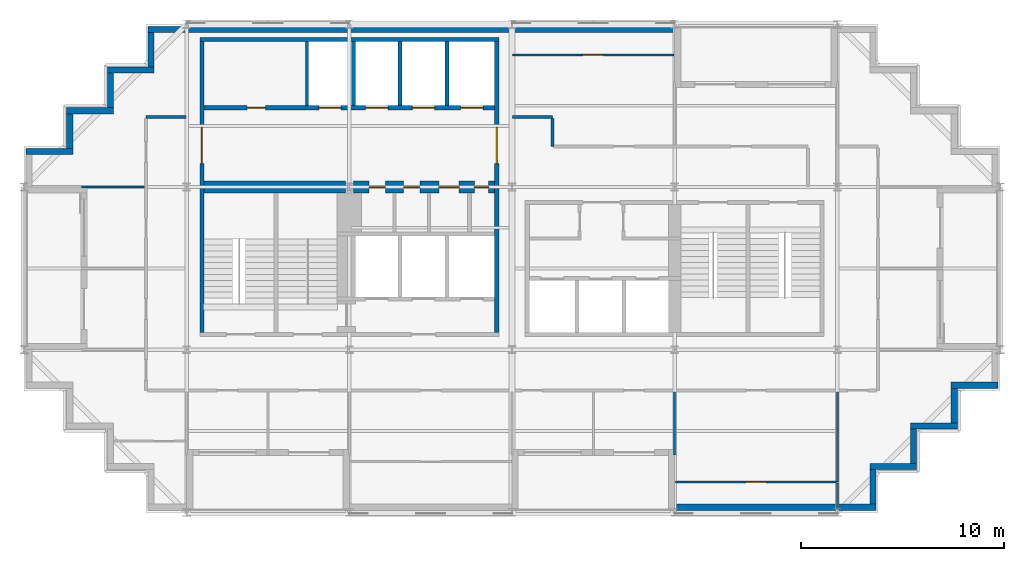
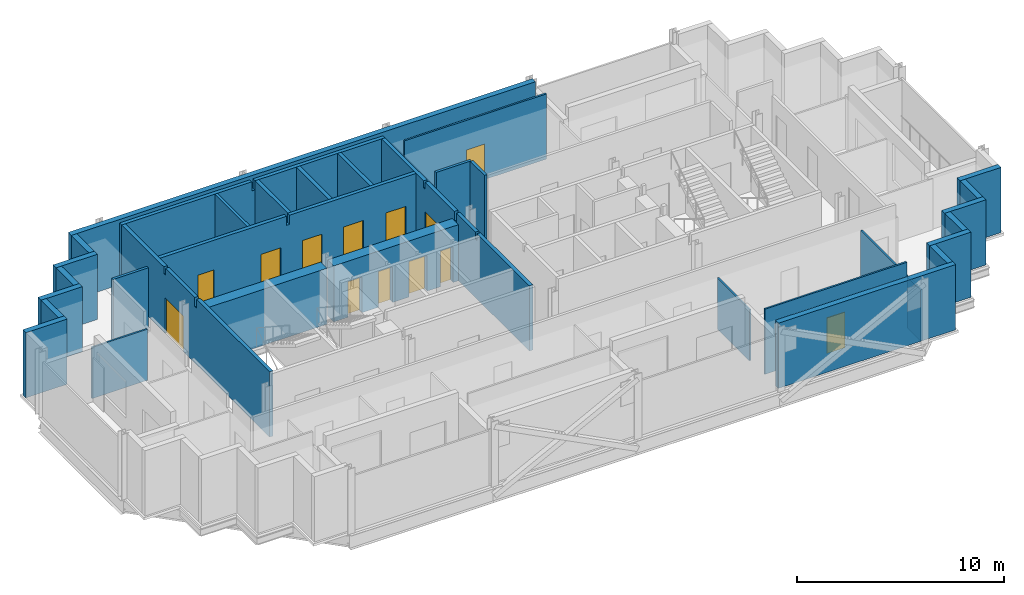
# One storey, part 6 of 9: 33 walls, 13 doors, 13 openings.
"""IFC4 building model written with IfcOpenShell, lengths in metres."""

import ifcopenshell
import ifcopenshell.guid

model = None  # the IFC model being written
_history = None  # IfcOwnerHistory: only IFC2X3 demands one
_inside = {}  # id of a spatial element -> (the spatial element, [elements in it])
_under = {}  # id of a project, library or spatial element -> (it, [spatial elements below it])
_declared = {}  # id of a project -> (the project, [libraries it declares])
_typed = {}  # id of a type object -> (the type object, [elements of that type])
_made_of = {}  # id of a material, layer set ... -> (it, [elements and type objects made of it])


def new_model(schema):
    """Start an empty IFC model of exactly this schema.

    Asked for "IFC4X3", IfcOpenShell would pick the latest addendum, in which some entities
    have other attributes; the version numbers below select the first issue.
    IFC2X3 requires an IfcOwnerHistory on every rooted entity: one is made here for all.
    """
    global model, _history
    if schema == "IFC4X3":
        model = ifcopenshell.file(schema_version=(4, 3, 0, 0))
    else:
        model = ifcopenshell.file(schema=schema)
    _inside.clear()
    _under.clear()
    _declared.clear()
    _typed.clear()
    _made_of.clear()
    _history = None
    if model.schema == "IFC2X3":
        org = make("IfcOrganization", Name="unknown")
        user = make(
            "IfcPersonAndOrganization",
            ThePerson=make("IfcPerson", FamilyName="unknown"),
            TheOrganization=org,
        )
        app = make(
            "IfcApplication",
            ApplicationDeveloper=org,
            Version="unknown",
            ApplicationFullName="unknown",
            ApplicationIdentifier="unknown",
        )
        _history = make(
            "IfcOwnerHistory",
            OwningUser=user,
            OwningApplication=app,
            ChangeAction="ADDED",
            CreationDate=0,
        )
    return model


def make(cls, **values):
    """One entity of the class cls with the attributes given. An attribute that is None is left unset."""
    return model.create_entity(
        cls, **{name: value for name, value in values.items() if value is not None}
    )


def rooted(cls, **values):
    """An entity with a GlobalId (a new one), such as an element, a storey or a relation."""
    return make(cls, GlobalId=ifcopenshell.guid.new(), OwnerHistory=_history, **values)


def si_unit(unit_type, name, prefix=None):
    """IfcSIUnit, for example si_unit("LENGTHUNIT", "METRE", prefix="MILLI")."""
    return make("IfcSIUnit", UnitType=unit_type, Prefix=prefix, Name=name)


def assignment(units):
    """IfcUnitAssignment: the units of a project."""
    return None if units is None else make("IfcUnitAssignment", Units=units)


def point(xyz):
    """IfcCartesianPoint."""
    return None if xyz is None else make("IfcCartesianPoint", Coordinates=xyz)


def direction(xyz):
    """IfcDirection."""
    return None if xyz is None else make("IfcDirection", DirectionRatios=xyz)


def frame(location, z_axis=None, x_axis=None):
    """IfcAxis2Placement3D, a coordinate frame: its origin and axes. An axis left out is left unset."""
    return make(
        "IfcAxis2Placement3D",
        Location=point(location),
        Axis=direction(z_axis),
        RefDirection=direction(x_axis),
    )


def frame_2d(location, x_axis=None):
    """IfcAxis2Placement2D, a coordinate frame in the plane: its origin and x axis."""
    return make(
        "IfcAxis2Placement2D", Location=point(location), RefDirection=direction(x_axis)
    )


def origin():
    """The frame at (0, 0, 0) with its axes left unset."""
    return frame((0.0, 0.0, 0.0))


def place(relative_to, where):
    """IfcLocalPlacement: puts the frame where relative to a parent placement (None: the world)."""
    return make(
        "IfcLocalPlacement", PlacementRelTo=relative_to, RelativePlacement=where
    )


def context(
    kind, dimensions, precision=None, world=None, true_north=None, identifier=None
):
    """IfcGeometricRepresentationContext, for example the 3D "Model" context."""
    return make(
        "IfcGeometricRepresentationContext",
        ContextIdentifier=identifier,
        ContextType=kind,
        CoordinateSpaceDimension=dimensions,
        Precision=precision,
        WorldCoordinateSystem=world,
        TrueNorth=true_north,
    )


def subcontext(parent, identifier, kind, view, scale=None):
    """IfcGeometricRepresentationSubContext, for example "Body" below "Model"."""
    return make(
        "IfcGeometricRepresentationSubContext",
        ContextIdentifier=identifier,
        ContextType=kind,
        ParentContext=parent,
        TargetScale=scale,
        TargetView=view,
    )


def project(units=None, contexts=None):
    """IfcProject with its units and contexts."""
    return rooted(
        "IfcProject",
        Name="project",
        RepresentationContexts=contexts,
        UnitsInContext=assignment(units),
    )


def spatial(cls, under=None, at=None, **own):
    """A site, building, storey or space (cls), placed at a placement, below another one or the project."""
    s = rooted(cls, ObjectPlacement=at, **own)
    if under is not None:
        _under.setdefault(under.id(), (under, []))[1].append(s)
    return s


def polyline(points):
    """IfcPolyline through the points."""
    return make("IfcPolyline", Points=[point(p) for p in points])


def profile(cls, at=None, kind="AREA", **sizes):
    """A parametric profile (cls). Its sizes go by their IFC names, for example OverallWidth=200.0."""
    return make(cls, ProfileType=kind, Position=at, **sizes)


def rectangle(**sizes):
    """IfcRectangleProfileDef."""
    return profile("IfcRectangleProfileDef", **sizes)


def outline(outer, holes=None, kind="AREA"):
    """IfcArbitraryClosedProfileDef: a profile drawn as a closed curve; with holes, ...WithVoids."""
    if holes is None:
        return make("IfcArbitraryClosedProfileDef", ProfileType=kind, OuterCurve=outer)
    return make(
        "IfcArbitraryProfileDefWithVoids",
        ProfileType=kind,
        OuterCurve=outer,
        InnerCurves=holes,
    )


def extrude(swept, where, along, depth):
    """IfcExtrudedAreaSolid: the profile swept, set in the frame where, extruded along a direction by depth."""
    return make(
        "IfcExtrudedAreaSolid",
        SweptArea=swept,
        Position=where,
        ExtrudedDirection=direction(along),
        Depth=depth,
    )


def shape(context_of_items, identifier, shape_type, items):
    """IfcShapeRepresentation: the items that make up one representation, for example the "Body"."""
    return make(
        "IfcShapeRepresentation",
        ContextOfItems=context_of_items,
        RepresentationIdentifier=identifier,
        RepresentationType=shape_type,
        Items=items,
    )


def material(Name=None, Category=None):
    """IfcMaterial."""
    return make("IfcMaterial", Name=Name, Category=Category)


def layer(
    of_material, thickness, ventilated=None, Name=None, Category=None, Priority=None
):
    """IfcMaterialLayer: one layer of a wall or slab, of a material (None: an air gap)."""
    return make(
        "IfcMaterialLayer",
        Material=of_material,
        LayerThickness=thickness,
        IsVentilated=ventilated,
        Name=Name,
        Category=Category,
        Priority=Priority,
    )


def layer_set(layers, Name=None):
    """IfcMaterialLayerSet."""
    return make("IfcMaterialLayerSet", MaterialLayers=layers, LayerSetName=Name)


def made_of(thing, what):
    """Note that an element or type object is made of a material, layer set ...; save() writes the relation."""
    if what is not None:
        _made_of.setdefault(what.id(), (what, []))[1].append(thing)
    return thing


def type_object(cls, material=None, **own):
    """A type object (cls), such as IfcWallType, which elements share."""
    return made_of(rooted(cls, **own), material)


def element(
    cls,
    number,
    at=None,
    inside=None,
    cuts=None,
    type_object=None,
    material=None,
    context=None,
    identifier="Body",
    shape_type=None,
    held_by="IfcProductDefinitionShape",
    body=None,
    shapes=None,
    **own,
):
    """One element of the class cls, such as IfcWall. Its Tag is "e" and its number.

    at: its placement. inside: the storey or other place that contains it. cuts: it is an
    opening in that element (IfcRelVoidsElement). A single representation is given by context,
    identifier, shape_type and body (its items); several are given by shapes. held_by: the class
    of the entity that holds the representations. save() writes the other relations.
    """
    e = rooted(cls, Tag="e%d" % number, ObjectPlacement=at, **own)
    if body is not None:
        shapes = [shape(context, identifier, shape_type, body)]
    if shapes is not None:
        e.Representation = make(held_by, Representations=shapes)
    if inside is not None:
        _inside.setdefault(inside.id(), (inside, []))[1].append(e)
    if cuts is not None:
        rooted(
            "IfcRelVoidsElement", RelatingBuildingElement=cuts, RelatedOpeningElement=e
        )
    if type_object is not None:
        _typed.setdefault(type_object.id(), (type_object, []))[1].append(e)
    return made_of(e, material)


def fill(opening, filler):
    """IfcRelFillsElement: the door or window that sits in an opening."""
    return rooted(
        "IfcRelFillsElement",
        RelatingOpeningElement=opening,
        RelatedBuildingElement=filler,
    )


def aggregate(whole, parts):
    """IfcRelAggregates: a whole, such as a stair, and the parts it consists of."""
    return rooted("IfcRelAggregates", RelatingObject=whole, RelatedObjects=parts)


def save(model, path):
    """Write the relations noted so far, then the file.

    IfcRelAggregates (storeys below a building ...), IfcRelContainedInSpatialStructure (elements
    in a storey), IfcRelDefinesByType, IfcRelAssociatesMaterial and IfcRelDeclares: one each for
    every whole, place, type object, material and project.
    """
    for whole, parts in _under.values():
        aggregate(whole, parts)
    for where, things in _inside.values():
        rooted(
            "IfcRelContainedInSpatialStructure",
            RelatedElements=things,
            RelatingStructure=where,
        )
    for kind, things in _typed.values():
        rooted("IfcRelDefinesByType", RelatedObjects=things, RelatingType=kind)
    for what, things in _made_of.values():
        rooted("IfcRelAssociatesMaterial", RelatedObjects=things, RelatingMaterial=what)
    for by, libraries in _declared.values():
        rooted("IfcRelDeclares", RelatingContext=by, RelatedDefinitions=libraries)
    model.write(path)


model = new_model("IFC4")

# Units and contexts
model_context = context("Model", 3, precision=1e-05, world=origin(), true_north=direction((0.0, 1.0)))
body_context = subcontext(model_context, "Body", "Model", "MODEL_VIEW")
ifc_project = project(units=[si_unit("LENGTHUNIT", "METRE"), si_unit("AREAUNIT", "SQUARE_METRE"), si_unit("VOLUMEUNIT", "CUBIC_METRE"), si_unit("PLANEANGLEUNIT", "RADIAN"), si_unit("MASSUNIT", "GRAM", prefix="KILO")], contexts=[model_context])

# Site, building, storey
site_placement = place(None, origin())
site = spatial("IfcSite", under=ifc_project, at=site_placement, CompositionType="ELEMENT")
building_placement = place(site_placement, origin())
building = spatial("IfcBuilding", under=site, at=building_placement, Name="Immortelle Media Tower", CompositionType="ELEMENT")
storey_placement = place(building_placement, frame((0.0, 0.0, 247.0)))
storey = spatial("IfcBuildingStorey", under=building, at=storey_placement, Name="L53", CompositionType="ELEMENT", Elevation=247.0)

# Wall, openings, doors
ifc_material_1 = material(Name="Fire-rated masonry blockwork", Category="masonry")
ifc_layer_1 = layer(ifc_material_1, 0.60009765625)
ifc_layer_set_1 = layer_set([ifc_layer_1], Name="Fire-rated masonry blockwork")
wall_type_1 = type_object("IfcWallType", Name="Core grid-line wall 600", PredefinedType="PARTITIONING", material=ifc_layer_set_1)
wall_1_placement = place(storey_placement, frame((16.195556640625, 16.0, 0.0), z_axis=(0.0, 0.0, 1.0), x_axis=(1.0, 0.0, 0.0)))
wall_1 = element("IfcWall", 1, at=wall_1_placement, inside=storey, type_object=wall_type_1, Name="Core grid-line wall SW", PredefinedType="PARTITIONING", context=body_context, shape_type="SweptSolid", body=[
    extrude(rectangle(XDim=6.954345703125, YDim=0.60009765625, at=frame_2d((3.47705078125, 0.0))), origin(), (0.0, 0.0, 1.0), 3.30810546875),
])
opening_1_placement = place(wall_1_placement, frame((1.57958984375, 0.0, 0.0), z_axis=(0.0, 0.0, 1.0), x_axis=(-1.0, 0.0, 0.0)))
opening_1 = element("IfcOpeningElement", 2, at=opening_1_placement, cuts=wall_1, Name="Opening X1-K009", PredefinedType="OPENING", context=body_context, shape_type="SweptSolid", body=[
    extrude(rectangle(XDim=0.800048828125, YDim=2.10009765625, at=frame_2d((0.39990234375, 1.050048828125))), frame((0.0, 0.31005859375, 0.0), z_axis=(0.0, -1.0, 0.0), x_axis=(1.0, 0.0, 0.0)), (0.0, 0.0, 1.0), 0.6201171875),
])
opening_2_placement = place(wall_1_placement, frame((3.279541015625, 0.0, 0.0), z_axis=(0.0, 0.0, 1.0), x_axis=(-1.0, 0.0, 0.0)))
opening_2 = element("IfcOpeningElement", 3, at=opening_2_placement, cuts=wall_1, Name="Opening X1-K010", PredefinedType="OPENING", context=body_context, shape_type="SweptSolid", body=[
    extrude(rectangle(XDim=0.800048828125, YDim=2.10009765625, at=frame_2d((0.39990234375, 1.050048828125))), frame((0.0, 0.31005859375, 0.0), z_axis=(0.0, -1.0, 0.0), x_axis=(1.0, 0.0, 0.0)), (0.0, 0.0, 1.0), 0.6201171875),
])
opening_3_placement = place(wall_1_placement, frame((5.20458984375, 0.0, 0.0), z_axis=(0.0, 0.0, 1.0), x_axis=(-1.0, 0.0, 0.0)))
opening_3 = element("IfcOpeningElement", 4, at=opening_3_placement, cuts=wall_1, Name="Opening X1-K014", PredefinedType="OPENING", context=body_context, shape_type="SweptSolid", body=[
    extrude(rectangle(XDim=1.0, YDim=2.10009765625, at=frame_2d((0.5, 1.050048828125))), frame((0.0, 0.31005859375, 0.0), z_axis=(0.0, -1.0, 0.0), x_axis=(1.0, 0.0, 0.0)), (0.0, 0.0, 1.0), 0.6201171875),
])
opening_4_placement = place(wall_1_placement, frame((6.654541015625, 0.0, 0.0), z_axis=(0.0, 0.0, 1.0), x_axis=(-1.0, 0.0, 0.0)))
opening_4 = element("IfcOpeningElement", 5, at=opening_4_placement, cuts=wall_1, Name="Opening X1-K017", PredefinedType="OPENING", context=body_context, shape_type="SweptSolid", body=[
    extrude(rectangle(XDim=0.699951171875, YDim=2.10009765625, at=frame_2d((0.35009765625, 1.050048828125))), frame((0.0, 0.31005859375, 0.0), z_axis=(0.0, -1.0, 0.0), x_axis=(1.0, 0.0, 0.0)), (0.0, 0.0, 1.0), 0.6201171875),
])
ifc_material_2 = material(Name="Timber", Category="wood")
door_type_1 = type_object("IfcDoorType", Name="Accessible toilet door 1000 x 2100", OperationType="NOTDEFINED", PredefinedType="NOTDEFINED", material=ifc_material_2)
door_1_placement = place(opening_3_placement, origin())
door_1 = element("IfcDoor", 6, at=door_1_placement, inside=storey, type_object=door_type_1, Name="Accessible toilet X1-K014", OperationType="SINGLE_SWING_RIGHT", OverallHeight=2.10009765625, OverallWidth=1.0, PredefinedType="NOTDEFINED", context=body_context, shape_type="SweptSolid", body=[
    extrude(rectangle(XDim=1.0, YDim=2.10009765625, at=frame_2d((0.5, 1.050048828125))), frame((0.0, 0.02490234375, 0.0), z_axis=(0.0, -1.0, 0.0), x_axis=(1.0, 0.0, 0.0)), (0.0, 0.0, 1.0), 0.050048828125),
])
fill(opening_3, door_1)
ifc_material_3 = material(Name="Galvanised steel door leaf and frame ASTM A653", Category="steel")
door_type_2 = type_object("IfcDoorType", Name="Service door 700 x 2100", OperationType="NOTDEFINED", PredefinedType="NOTDEFINED", material=ifc_material_3)
door_2_placement = place(opening_4_placement, origin())
door_2 = element("IfcDoor", 7, at=door_2_placement, inside=storey, type_object=door_type_2, Name="Service X1-K017", OperationType="SINGLE_SWING_LEFT", OverallHeight=2.10009765625, OverallWidth=0.699951171875, PredefinedType="NOTDEFINED", context=body_context, shape_type="SweptSolid", body=[
    extrude(rectangle(XDim=0.699951171875, YDim=2.10009765625, at=frame_2d((0.35009765625, 1.050048828125))), frame((0.0, 0.02490234375, 0.0), z_axis=(0.0, -1.0, 0.0), x_axis=(1.0, 0.0, 0.0)), (0.0, 0.0, 1.0), 0.050048828125),
])
fill(opening_4, door_2)
door_type_3 = type_object("IfcDoorType", Name="Toilet door 800 x 2100", OperationType="NOTDEFINED", PredefinedType="NOTDEFINED", material=ifc_material_2)
door_3_placement = place(opening_1_placement, origin())
door_3 = element("IfcDoor", 8, at=door_3_placement, inside=storey, type_object=door_type_3, Name="Toilet X1-K009", OperationType="SINGLE_SWING_LEFT", OverallHeight=2.10009765625, OverallWidth=0.800048828125, PredefinedType="NOTDEFINED", context=body_context, shape_type="SweptSolid", body=[
    extrude(rectangle(XDim=0.800048828125, YDim=2.10009765625, at=frame_2d((0.39990234375, 1.050048828125))), frame((0.0, 0.02490234375, 0.0), z_axis=(0.0, -1.0, 0.0), x_axis=(1.0, 0.0, 0.0)), (0.0, 0.0, 1.0), 0.050048828125),
])
fill(opening_1, door_3)
door_4_placement = place(opening_2_placement, origin())
door_4 = element("IfcDoor", 9, at=door_4_placement, inside=storey, type_object=door_type_3, Name="Toilet X1-K010", OperationType="SINGLE_SWING_LEFT", OverallHeight=2.10009765625, OverallWidth=0.800048828125, PredefinedType="NOTDEFINED", context=body_context, shape_type="SweptSolid", body=[
    extrude(rectangle(XDim=0.800048828125, YDim=2.10009765625, at=frame_2d((0.39990234375, 1.050048828125))), frame((0.0, 0.02490234375, 0.0), z_axis=(0.0, -1.0, 0.0), x_axis=(1.0, 0.0, 0.0)), (0.0, 0.0, 1.0), 0.050048828125),
])
fill(opening_2, door_4)

# Walls
ifc_material_4 = material(Name="Fire-rated gypsum board", Category="gypsum")
ifc_layer_2 = layer(ifc_material_4, 0.02490234375)
ifc_material_5 = material(Name="Steel ASTM A653 SS Gr 50 stud frame with mineral wool", Category="steel")
ifc_layer_3 = layer(ifc_material_5, 0.10009765625)
ifc_layer_4 = layer(ifc_material_4, 0.02490234375)
ifc_layer_set_2 = layer_set([ifc_layer_2, ifc_layer_3, ifc_layer_4], Name="Steel ASTM A653 SS Gr 50 stud frame with mineral wool")
wall_type_2 = type_object("IfcWallType", Name="Core partition 150", PredefinedType="PARTITIONING", material=ifc_layer_set_2)
wall_2_placement = place(storey_placement, frame((13.925048828125, 20.0, 0.0), z_axis=(0.0, 0.0, 1.0), x_axis=(0.0, 1.0, 0.0)))
element("IfcWall", 10, at=wall_2_placement, inside=storey, type_object=wall_type_2, Name="Core partition SW", PredefinedType="PARTITIONING", context=body_context, shape_type="SweptSolid", body=[
    extrude(rectangle(XDim=3.14990234375, YDim=0.14990234375, at=frame_2d((1.574951171875, 0.0))), origin(), (0.0, 0.0, 1.0), 3.85009765625),
])
ifc_layer_5 = layer(ifc_material_4, 0.03759765625)
ifc_layer_6 = layer(ifc_material_5, 0.125)
ifc_layer_7 = layer(ifc_material_4, 0.03759765625)
ifc_layer_set_3 = layer_set([ifc_layer_5, ifc_layer_6, ifc_layer_7], Name="Steel ASTM A653 SS Gr 50 stud frame with mineral wool")
wall_type_3 = type_object("IfcWallType", Name="Core shaft wall 200", PredefinedType="PARTITIONING", material=ifc_layer_set_3)
wall_3_placement = place(storey_placement, frame((8.64990234375, 23.25, 0.0), z_axis=(0.0, 0.0, 1.0), x_axis=(1.0, 0.0, 0.0)))
element("IfcWall", 11, at=wall_3_placement, inside=storey, type_object=wall_type_3, Name="Core shaft wall SW", PredefinedType="PARTITIONING", context=body_context, shape_type="SweptSolid", body=[
    extrude(outline(polyline([(0.0, 0.0), (14.7001953125, 0.0), (14.699951171875, 3.85009765625), (7.4384765625, 3.85009765625), (7.4375, 3.30810546875), (7.262451171875, 3.30810546875), (7.261474609375, 3.85009765625), (0.0, 3.85009765625), (0.0, 0.0)])), frame((0.0, 0.10009765625, 0.0), z_axis=(0.0, -1.0, 0.0), x_axis=(1.0, 0.0, 0.0)), (0.0, 0.0, 1.0), 0.199951171875),
])

# Wall, openings, doors
wall_4_placement = place(storey_placement, frame((8.85009765625, 19.89990234375, 0.0), z_axis=(0.0, 0.0, 1.0), x_axis=(1.0, 0.0, 0.0)))
wall_4 = element("IfcWall", 12, at=wall_4_placement, inside=storey, type_object=wall_type_3, Name="Core shaft wall SW", PredefinedType="PARTITIONING", context=body_context, shape_type="SweptSolid", body=[
    extrude(outline(polyline([(0.0, 0.0), (14.2998046875, 0.0), (14.300048828125, 3.85009765625), (7.238525390625, 3.85009765625), (7.237548828125, 3.30810546875), (7.0625, 3.30810546875), (7.0615234375, 3.85009765625), (0.0, 3.85009765625), (0.0, 0.0)])), frame((0.0, 0.10009765625, 0.0), z_axis=(0.0, -1.0, 0.0), x_axis=(1.0, 0.0, 0.0)), (0.0, 0.0, 1.0), 0.199951171875),
])
opening_5_placement = place(wall_4_placement, frame((2.125, 0.0, 0.0)))
opening_5 = element("IfcOpeningElement", 13, at=opening_5_placement, cuts=wall_4, Name="Opening X1-K003", PredefinedType="OPENING", context=body_context, shape_type="SweptSolid", body=[
    extrude(rectangle(XDim=0.89990234375, YDim=2.10009765625, at=frame_2d((0.449951171875, 1.050048828125))), frame((0.0, 0.10986328125, 0.0), z_axis=(0.0, -1.0, 0.0), x_axis=(1.0, 0.0, 0.0)), (0.0, 0.0, 1.0), 0.219970703125),
])
opening_6_placement = place(wall_4_placement, frame((5.64990234375, 0.0, 0.0)))
opening_6 = element("IfcOpeningElement", 14, at=opening_6_placement, cuts=wall_4, Name="Opening LD", PredefinedType="OPENING", context=body_context, shape_type="SweptSolid", body=[
    extrude(rectangle(XDim=1.10009765625, YDim=2.10009765625, at=frame_2d((0.550048828125, 1.050048828125))), frame((0.0, 0.10986328125, 0.0), z_axis=(0.0, -1.0, 0.0), x_axis=(1.0, 0.0, 0.0)), (0.0, 0.0, 1.0), 0.219970703125),
])
opening_7_placement = place(wall_4_placement, frame((7.949951171875, 0.0, 0.0)))
opening_7 = element("IfcOpeningElement", 15, at=opening_7_placement, cuts=wall_4, Name="Opening LD", PredefinedType="OPENING", context=body_context, shape_type="SweptSolid", body=[
    extrude(rectangle(XDim=1.10009765625, YDim=2.10009765625, at=frame_2d((0.550048828125, 1.050048828125))), frame((0.0, 0.10986328125, 0.0), z_axis=(0.0, -1.0, 0.0), x_axis=(1.0, 0.0, 0.0)), (0.0, 0.0, 1.0), 0.219970703125),
])
opening_8_placement = place(wall_4_placement, frame((10.25, 0.0, 0.0)))
opening_8 = element("IfcOpeningElement", 16, at=opening_8_placement, cuts=wall_4, Name="Opening LD", PredefinedType="OPENING", context=body_context, shape_type="SweptSolid", body=[
    extrude(rectangle(XDim=1.10009765625, YDim=2.10009765625, at=frame_2d((0.550048828125, 1.050048828125))), frame((0.0, 0.10986328125, 0.0), z_axis=(0.0, -1.0, 0.0), x_axis=(1.0, 0.0, 0.0)), (0.0, 0.0, 1.0), 0.219970703125),
])
opening_9_placement = place(wall_4_placement, frame((12.625, 0.0, 0.0)))
opening_9 = element("IfcOpeningElement", 17, at=opening_9_placement, cuts=wall_4, Name="Opening LD", PredefinedType="OPENING", context=body_context, shape_type="SweptSolid", body=[
    extrude(rectangle(XDim=1.10009765625, YDim=2.10009765625, at=frame_2d((0.550048828125, 1.050048828125))), frame((0.0, 0.10986328125, 0.0), z_axis=(0.0, -1.0, 0.0), x_axis=(1.0, 0.0, 0.0)), (0.0, 0.0, 1.0), 0.219970703125),
])
ifc_material_6 = material(Name="Stainless steel AISI 304", Category="steel")
door_type_4 = type_object("IfcDoorType", Name="Landing door 1100 x 2100", OperationType="SLIDING_TO_LEFT", PredefinedType="NOTDEFINED", material=ifc_material_6)
door_5_placement = place(opening_6_placement, origin())
door_5 = element("IfcDoor", 18, at=door_5_placement, inside=storey, type_object=door_type_4, Name="Landing door HR1 L53", OperationType="SLIDING_TO_LEFT", OverallHeight=2.10009765625, OverallWidth=1.10009765625, PredefinedType="NOTDEFINED", context=body_context, shape_type="SweptSolid", body=[
    extrude(rectangle(XDim=1.10009765625, YDim=2.10009765625, at=frame_2d((0.550048828125, 1.050048828125))), frame((0.0, 0.02490234375, 0.0), z_axis=(0.0, -1.0, 0.0), x_axis=(1.0, 0.0, 0.0)), (0.0, 0.0, 1.0), 0.050048828125),
])
fill(opening_6, door_5)
door_6_placement = place(opening_7_placement, origin())
door_6 = element("IfcDoor", 19, at=door_6_placement, inside=storey, type_object=door_type_4, Name="Landing door HR2 L53", OperationType="SLIDING_TO_LEFT", OverallHeight=2.10009765625, OverallWidth=1.10009765625, PredefinedType="NOTDEFINED", context=body_context, shape_type="SweptSolid", body=[
    extrude(rectangle(XDim=1.10009765625, YDim=2.10009765625, at=frame_2d((0.550048828125, 1.050048828125))), frame((0.0, 0.02490234375, 0.0), z_axis=(0.0, -1.0, 0.0), x_axis=(1.0, 0.0, 0.0)), (0.0, 0.0, 1.0), 0.050048828125),
])
fill(opening_7, door_6)
door_7_placement = place(opening_8_placement, origin())
door_7 = element("IfcDoor", 20, at=door_7_placement, inside=storey, type_object=door_type_4, Name="Landing door HR3 L53", OperationType="SLIDING_TO_LEFT", OverallHeight=2.10009765625, OverallWidth=1.10009765625, PredefinedType="NOTDEFINED", context=body_context, shape_type="SweptSolid", body=[
    extrude(rectangle(XDim=1.10009765625, YDim=2.10009765625, at=frame_2d((0.550048828125, 1.050048828125))), frame((0.0, 0.02490234375, 0.0), z_axis=(0.0, -1.0, 0.0), x_axis=(1.0, 0.0, 0.0)), (0.0, 0.0, 1.0), 0.050048828125),
])
fill(opening_8, door_7)
door_8_placement = place(opening_9_placement, origin())
door_8 = element("IfcDoor", 21, at=door_8_placement, inside=storey, type_object=door_type_4, Name="Landing door HR4 L53", OperationType="SLIDING_TO_LEFT", OverallHeight=2.10009765625, OverallWidth=1.10009765625, PredefinedType="NOTDEFINED", context=body_context, shape_type="SweptSolid", body=[
    extrude(rectangle(XDim=1.10009765625, YDim=2.10009765625, at=frame_2d((0.550048828125, 1.050048828125))), frame((0.0, 0.02490234375, 0.0), z_axis=(0.0, -1.0, 0.0), x_axis=(1.0, 0.0, 0.0)), (0.0, 0.0, 1.0), 0.050048828125),
])
fill(opening_9, door_8)
door_type_5 = type_object("IfcDoorType", Name="Room door 900 x 2100", OperationType="NOTDEFINED", PredefinedType="NOTDEFINED", material=ifc_material_2)
door_9_placement = place(opening_5_placement, origin())
door_9 = element("IfcDoor", 22, at=door_9_placement, inside=storey, type_object=door_type_5, Name="Room X1-K003", OperationType="SINGLE_SWING_RIGHT", OverallHeight=2.10009765625, OverallWidth=0.89990234375, PredefinedType="NOTDEFINED", context=body_context, shape_type="SweptSolid", body=[
    extrude(rectangle(XDim=0.89990234375, YDim=2.10009765625, at=frame_2d((0.449951171875, 1.050048828125))), frame((0.0, 0.02490234375, 0.0), z_axis=(0.0, -1.0, 0.0), x_axis=(1.0, 0.0, 0.0)), (0.0, 0.0, 1.0), 0.050048828125),
])
fill(opening_5, door_9)

# Walls
for number, where, z_axis, x_axis, name in (
    (23, (16.199951171875, 20.0, 0.0), (0.0, 0.0, 1.0), (0.0, 1.0, 0.0), "Core shaft wall SW"),
    (24, (18.5, 20.0, 0.0), (0.0, 0.0, 1.0), (0.0, 1.0, 0.0), "Core shaft wall SW"),
    (25, (20.800048828125, 20.0, 0.0), (0.0, 0.0, 1.0), (0.0, 1.0, 0.0), "Core shaft wall SW"),
):
    element("IfcWall", number, at=place(storey_placement, frame(where, z_axis=z_axis, x_axis=x_axis)), inside=storey, type_object=wall_type_3, Name=name, PredefinedType="PARTITIONING", context=body_context, shape_type="SweptSolid", body=[
        extrude(rectangle(XDim=3.14990234375, YDim=0.199951171875, at=frame_2d((1.574951171875, 0.0))), origin(), (0.0, 0.0, 1.0), 3.85009765625),
    ])

# Wall, opening, door
wall_5_placement = place(storey_placement, frame((23.25, 8.85009765625, 0.0), z_axis=(0.0, 0.0, 1.0), x_axis=(0.0, 1.0, 0.0)))
wall_5 = element("IfcWall", 26, at=wall_5_placement, inside=storey, type_object=wall_type_3, Name="Core shaft wall SW", PredefinedType="PARTITIONING", context=body_context, shape_type="SweptSolid", body=[
    extrude(outline(polyline([(0.0, 0.0), (14.2998046875, 0.0), (14.300048828125, 3.85009765625), (10.22509765625, 3.85009765625), (10.22412109375, 3.43994140625), (10.075927734375, 3.43994140625), (10.074951171875, 3.85009765625), (7.238525390625, 3.85009765625), (7.237548828125, 3.30810546875), (7.0625, 3.30810546875), (7.0615234375, 3.85009765625), (5.22509765625, 3.85009765625), (5.22412109375, 3.43994140625), (5.075927734375, 3.43994140625), (5.074951171875, 3.85009765625), (0.0, 3.85009765625), (0.0, 0.0)])), frame((0.0, 0.10009765625, 0.0), z_axis=(0.0, -1.0, 0.0), x_axis=(1.0, 0.0, 0.0)), (0.0, 0.0, 1.0), 0.199951171875),
])
opening_10_placement = place(wall_5_placement, frame((8.300048828125, 0.0, 0.0)))
opening_10 = element("IfcOpeningElement", 27, at=opening_10_placement, cuts=wall_5, Name="Opening X1-K018", PredefinedType="OPENING", context=body_context, shape_type="SweptSolid", body=[
    extrude(rectangle(XDim=1.800048828125, YDim=2.10009765625, at=frame_2d((0.89990234375, 1.050048828125))), frame((0.0, 0.10986328125, 0.0), z_axis=(0.0, -1.0, 0.0), x_axis=(1.0, 0.0, 0.0)), (0.0, 0.0, 1.0), 0.219970703125),
])
door_type_6 = type_object("IfcDoorType", Name="Lift lobby door 1800 x 2100", OperationType="DOUBLE_DOOR_SINGLE_SWING", PredefinedType="NOTDEFINED", material=ifc_material_3)
door_10_placement = place(opening_10_placement, origin())
door_10 = element("IfcDoor", 28, at=door_10_placement, inside=storey, type_object=door_type_6, Name="Lift lobby X1-K018", OperationType="DOUBLE_DOOR_SINGLE_SWING", OverallHeight=2.10009765625, OverallWidth=1.800048828125, PredefinedType="NOTDEFINED", context=body_context, shape_type="SweptSolid", body=[
    extrude(rectangle(XDim=1.800048828125, YDim=2.10009765625, at=frame_2d((0.89990234375, 1.050048828125))), frame((0.0, 0.02490234375, 0.0), z_axis=(0.0, -1.0, 0.0), x_axis=(1.0, 0.0, 0.0)), (0.0, 0.0, 1.0), 0.050048828125),
])
fill(opening_10, door_10)

# Walls
ifc_layer_8 = layer(ifc_material_4, 0.012451171875)
ifc_layer_9 = layer(ifc_material_5, 0.125)
ifc_layer_10 = layer(ifc_material_4, 0.012451171875)
ifc_layer_set_4 = layer_set([ifc_layer_8, ifc_layer_9, ifc_layer_10], Name="Steel ASTM A653 SS Gr 50 stud frame with mineral wool")
wall_type_4 = type_object("IfcWallType", Name="Corridor wall 150", PredefinedType="PARTITIONING", material=ifc_layer_set_4)
wall_6_placement = place(storey_placement, frame((26.0, 18.0, 0.0), z_axis=(0.0, 0.0, 1.0), x_axis=(0.0, 1.0, 0.0)))
element("IfcWall", 29, at=wall_6_placement, inside=storey, type_object=wall_type_4, Name="Partition L53-025", PredefinedType="PARTITIONING", context=body_context, shape_type="SweptSolid", body=[
    extrude(rectangle(XDim=1.375, YDim=0.14990234375, at=frame_2d((0.6875, 0.0))), origin(), (0.0, 0.0, 1.0), 3.85009765625),
])
for number, where, z_axis, x_axis, name in (
    (30, (6.0, 19.449951171875, 0.0), (0.0, 0.0, 1.0), (1.0, 0.0, 0.0), "Partition L53-029"),
    (31, (24.030029296875, 19.449951171875, 0.0), (0.0, 0.0, 1.0), (1.0, 0.0, 0.0), "Partition L53-030"),
):
    element("IfcWall", number, at=place(storey_placement, frame(where, z_axis=z_axis, x_axis=x_axis)), inside=storey, type_object=wall_type_4, Name=name, PredefinedType="PARTITIONING", context=body_context, shape_type="SweptSolid", body=[
        extrude(rectangle(XDim=1.969970703125, YDim=0.14990234375, at=frame_2d((0.98486328125, 0.0))), origin(), (0.0, 0.0, 1.0), 3.85009765625),
    ])
ifc_material_7 = material(Name="Pale aluminium cladding panel", Category="aluminium")
ifc_layer_11 = layer(ifc_material_7, 0.030029296875)
ifc_layer_12 = layer(ifc_material_5, 0.257568359375)
ifc_material_8 = material(Name="Moisture-resistant gypsum board", Category="gypsum")
ifc_layer_13 = layer(ifc_material_8, 0.012451171875)
ifc_layer_set_5 = layer_set([ifc_layer_11, ifc_layer_12, ifc_layer_13], Name="Steel ASTM A653 SS Gr 50 stud frame with mineral wool")
wall_type_5 = type_object("IfcWallType", Name="Facade wall 300", PredefinedType="SOLIDWALL", material=ifc_layer_set_5)
wall_7_placement = place(storey_placement, frame((32.0, 0.25, 0.0), z_axis=(0.0, 0.0, 1.0), x_axis=(1.0, 0.0, 0.0)))
element("IfcWall", 32, at=wall_7_placement, inside=storey, type_object=wall_type_5, Name="Facade wall L53 S6", PredefinedType="SOLIDWALL", context=body_context, shape_type="SweptSolid", body=[
    extrude(rectangle(XDim=9.89990234375, YDim=0.300048828125, at=frame_2d((4.949951171875, 0.0))), origin(), (0.0, 0.0, 1.0), 3.85009765625),
])
wall_8_placement = place(storey_placement, frame((41.75, 0.39990234375, 0.0), z_axis=(0.0, 0.0, 1.0), x_axis=(0.0, 1.0, 0.0)))
element("IfcWall", 33, at=wall_8_placement, inside=storey, type_object=wall_type_5, Name="Facade wall L53 E7", PredefinedType="SOLIDWALL", context=body_context, shape_type="SweptSolid", body=[
    extrude(rectangle(XDim=1.7001953125, YDim=0.300048828125, at=frame_2d((0.85009765625, 0.0))), origin(), (0.0, 0.0, 1.0), 3.85009765625),
])
wall_9_placement = place(storey_placement, frame((41.60009765625, 2.25, 0.0), z_axis=(0.0, 0.0, 1.0), x_axis=(1.0, 0.0, 0.0)))
element("IfcWall", 34, at=wall_9_placement, inside=storey, type_object=wall_type_5, Name="Facade wall L53 S8", PredefinedType="SOLIDWALL", context=body_context, shape_type="SweptSolid", body=[
    extrude(rectangle(XDim=2.2998046875, YDim=0.300048828125, at=frame_2d((1.14990234375, 0.0))), origin(), (0.0, 0.0, 1.0), 3.85009765625),
])
wall_10_placement = place(storey_placement, frame((43.75, 2.39990234375, 0.0), z_axis=(0.0, 0.0, 1.0), x_axis=(0.0, 1.0, 0.0)))
element("IfcWall", 35, at=wall_10_placement, inside=storey, type_object=wall_type_5, Name="Facade wall L53 E9", PredefinedType="SOLIDWALL", context=body_context, shape_type="SweptSolid", body=[
    extrude(rectangle(XDim=1.7001953125, YDim=0.300048828125, at=frame_2d((0.85009765625, 0.0))), origin(), (0.0, 0.0, 1.0), 3.85009765625),
])
wall_11_placement = place(storey_placement, frame((43.60009765625, 4.25, 0.0), z_axis=(0.0, 0.0, 1.0), x_axis=(1.0, 0.0, 0.0)))
element("IfcWall", 36, at=wall_11_placement, inside=storey, type_object=wall_type_5, Name="Facade wall L53 S10", PredefinedType="SOLIDWALL", context=body_context, shape_type="SweptSolid", body=[
    extrude(rectangle(XDim=2.2998046875, YDim=0.300048828125, at=frame_2d((1.14990234375, 0.0))), origin(), (0.0, 0.0, 1.0), 3.85009765625),
])
wall_12_placement = place(storey_placement, frame((45.75, 4.39990234375, 0.0), z_axis=(0.0, 0.0, 1.0), x_axis=(0.0, 1.0, 0.0)))
element("IfcWall", 37, at=wall_12_placement, inside=storey, type_object=wall_type_5, Name="Facade wall L53 E11", PredefinedType="SOLIDWALL", context=body_context, shape_type="SweptSolid", body=[
    extrude(rectangle(XDim=1.7001953125, YDim=0.300048828125, at=frame_2d((0.85009765625, 0.0))), origin(), (0.0, 0.0, 1.0), 3.85009765625),
])
wall_13_placement = place(storey_placement, frame((45.60009765625, 6.25, 0.0), z_axis=(0.0, 0.0, 1.0), x_axis=(1.0, 0.0, 0.0)))
element("IfcWall", 38, at=wall_13_placement, inside=storey, type_object=wall_type_5, Name="Facade wall L53 S12", PredefinedType="SOLIDWALL", context=body_context, shape_type="SweptSolid", body=[
    extrude(rectangle(XDim=2.2998046875, YDim=0.300048828125, at=frame_2d((1.14990234375, 0.0))), origin(), (0.0, 0.0, 1.0), 3.85009765625),
])
wall_14_placement = place(storey_placement, frame((32.0, 23.75, 0.0), z_axis=(0.0, 0.0, 1.0), x_axis=(-1.0, 0.0, 0.0)))
element("IfcWall", 39, at=wall_14_placement, inside=storey, type_object=wall_type_5, Name="Facade wall L53 N20", PredefinedType="SOLIDWALL", context=body_context, shape_type="SweptSolid", body=[
    extrude(rectangle(XDim=25.89990234375, YDim=0.300048828125, at=frame_2d((12.949951171875, 0.0))), origin(), (0.0, 0.0, 1.0), 3.85009765625),
])
wall_15_placement = place(storey_placement, frame((6.25, 23.60009765625, 0.0), z_axis=(0.0, 0.0, 1.0), x_axis=(0.0, -1.0, 0.0)))
element("IfcWall", 40, at=wall_15_placement, inside=storey, type_object=wall_type_5, Name="Facade wall L53 W21", PredefinedType="SOLIDWALL", context=body_context, shape_type="SweptSolid", body=[
    extrude(rectangle(XDim=1.7001953125, YDim=0.300048828125, at=frame_2d((0.85009765625, 0.0))), origin(), (0.0, 0.0, 1.0), 3.85009765625),
])
wall_16_placement = place(storey_placement, frame((6.39990234375, 21.75, 0.0), z_axis=(0.0, 0.0, 1.0), x_axis=(-1.0, 0.0, 0.0)))
element("IfcWall", 41, at=wall_16_placement, inside=storey, type_object=wall_type_5, Name="Facade wall L53 N22", PredefinedType="SOLIDWALL", context=body_context, shape_type="SweptSolid", body=[
    extrude(rectangle(XDim=2.2998046875, YDim=0.300048828125, at=frame_2d((1.14990234375, 0.0))), origin(), (0.0, 0.0, 1.0), 3.85009765625),
])
wall_17_placement = place(storey_placement, frame((4.25, 21.60009765625, 0.0), z_axis=(0.0, 0.0, 1.0), x_axis=(0.0, -1.0, 0.0)))
element("IfcWall", 42, at=wall_17_placement, inside=storey, type_object=wall_type_5, Name="Facade wall L53 W23", PredefinedType="SOLIDWALL", context=body_context, shape_type="SweptSolid", body=[
    extrude(rectangle(XDim=1.7001953125, YDim=0.300048828125, at=frame_2d((0.85009765625, 0.0))), origin(), (0.0, 0.0, 1.0), 3.85009765625),
])
wall_18_placement = place(storey_placement, frame((4.39990234375, 19.75, 0.0), z_axis=(0.0, 0.0, 1.0), x_axis=(-1.0, 0.0, 0.0)))
element("IfcWall", 43, at=wall_18_placement, inside=storey, type_object=wall_type_5, Name="Facade wall L53 N24", PredefinedType="SOLIDWALL", context=body_context, shape_type="SweptSolid", body=[
    extrude(rectangle(XDim=2.2998046875, YDim=0.300048828125, at=frame_2d((1.14990234375, 0.0))), origin(), (0.0, 0.0, 1.0), 3.85009765625),
])
wall_19_placement = place(storey_placement, frame((2.25, 19.60009765625, 0.0), z_axis=(0.0, 0.0, 1.0), x_axis=(0.0, -1.0, 0.0)))
element("IfcWall", 44, at=wall_19_placement, inside=storey, type_object=wall_type_5, Name="Facade wall L53 W25", PredefinedType="SOLIDWALL", context=body_context, shape_type="SweptSolid", body=[
    extrude(rectangle(XDim=1.7001953125, YDim=0.300048828125, at=frame_2d((0.85009765625, 0.0))), origin(), (0.0, 0.0, 1.0), 3.85009765625),
])
wall_20_placement = place(storey_placement, frame((2.39990234375, 17.75, 0.0), z_axis=(0.0, 0.0, 1.0), x_axis=(-1.0, 0.0, 0.0)))
element("IfcWall", 45, at=wall_20_placement, inside=storey, type_object=wall_type_5, Name="Facade wall L53 N26", PredefinedType="SOLIDWALL", context=body_context, shape_type="SweptSolid", body=[
    extrude(rectangle(XDim=2.2998046875, YDim=0.300048828125, at=frame_2d((1.14990234375, 0.0))), origin(), (0.0, 0.0, 1.0), 3.85009765625),
])
ifc_material_9 = material(Name="Gypsum board", Category="gypsum")
ifc_layer_14 = layer(ifc_material_9, 0.012451171875)
ifc_layer_15 = layer(ifc_material_5, 0.074951171875)
ifc_layer_16 = layer(ifc_material_9, 0.012451171875)
ifc_layer_set_6 = layer_set([ifc_layer_14, ifc_layer_15, ifc_layer_16], Name="Steel ASTM A653 SS Gr 50 stud frame with mineral wool")
wall_type_6 = type_object("IfcWallType", Name="Partition 100", PredefinedType="PARTITIONING", material=ifc_layer_set_6)
wall_21_placement = place(storey_placement, frame((40.0, 0.1298828125, 0.0), z_axis=(0.0, 0.0, 1.0), x_axis=(0.0, 1.0, 0.0)))
element("IfcWall", 46, at=wall_21_placement, inside=storey, type_object=wall_type_6, Name="Partition L53-001", PredefinedType="PARTITIONING", context=body_context, shape_type="SweptSolid", body=[
    extrude(rectangle(XDim=1.320068359375, YDim=0.10009765625, at=frame_2d((0.66015625, 0.0))), origin(), (0.0, 0.0, 1.0), 3.013916015625),
])

# Wall, opening, door
wall_22_placement = place(storey_placement, frame((32.030029296875, 1.5, 0.0), z_axis=(0.0, 0.0, 1.0), x_axis=(1.0, 0.0, 0.0)))
wall_22 = element("IfcWall", 47, at=wall_22_placement, inside=storey, type_object=wall_type_6, Name="Partition L53-002", PredefinedType="PARTITIONING", context=body_context, shape_type="SweptSolid", body=[
    extrude(rectangle(XDim=7.919921875, YDim=0.10009765625, at=frame_2d((3.9599609375, 0.0))), origin(), (0.0, 0.0, 1.0), 3.85009765625),
])
opening_11_placement = place(wall_22_placement, frame((3.469970703125, 0.0, 0.0)))
opening_11 = element("IfcOpeningElement", 48, at=opening_11_placement, cuts=wall_22, Name="Opening X1-F004", PredefinedType="OPENING", context=body_context, shape_type="SweptSolid", body=[
    extrude(rectangle(XDim=1.0, YDim=2.10009765625, at=frame_2d((0.5, 1.050048828125))), frame((0.0, 0.06005859375, 0.0), z_axis=(0.0, -1.0, 0.0), x_axis=(1.0, 0.0, 0.0)), (0.0, 0.0, 1.0), 0.1201171875),
])
ifc_material_10 = material(Name="Timber veneered door leaf, galvanised steel frame ASTM A653", Category="steel")
door_type_7 = type_object("IfcDoorType", Name="Room door 1000 x 2100", OperationType="NOTDEFINED", PredefinedType="DOOR", material=ifc_material_10)
door_11_placement = place(opening_11_placement, origin())
door_11 = element("IfcDoor", 49, at=door_11_placement, inside=storey, type_object=door_type_7, Name="Door X1-F004", OperationType="SINGLE_SWING_RIGHT", OverallHeight=2.10009765625, OverallWidth=1.0, PredefinedType="DOOR", context=body_context, shape_type="SweptSolid", body=[
    extrude(rectangle(XDim=1.0, YDim=2.10009765625, at=frame_2d((0.5, 1.050048828125))), frame((0.0, 0.02490234375, 0.0), z_axis=(0.0, -1.0, 0.0), x_axis=(1.0, 0.0, 0.0)), (0.0, 0.0, 1.0), 0.050048828125),
])
fill(opening_11, door_11)

# Walls
wall_23_placement = place(storey_placement, frame((40.0, 1.5, 0.0), z_axis=(0.0, 0.0, 1.0), x_axis=(0.0, 1.0, 0.0)))
element("IfcWall", 50, at=wall_23_placement, inside=storey, type_object=wall_type_6, Name="Partition L53-003", PredefinedType="PARTITIONING", context=body_context, shape_type="SweptSolid", body=[
    extrude(rectangle(XDim=4.425048828125, YDim=0.10009765625, at=frame_2d((2.21240234375, 0.0))), origin(), (0.0, 0.0, 1.0), 3.013916015625),
])
for number, where, z_axis, x_axis, name in (
    (51, (32.0, 2.830078125, 0.0), (0.0, 0.0, 1.0), (0.0, 1.0, 0.0), "Partition L53-010"),
    (52, (2.830078125, 16.0, 0.0), (0.0, 0.0, 1.0), (1.0, 0.0, 0.0), "Partition L53-020"),
):
    element("IfcWall", number, at=place(storey_placement, frame(where, z_axis=z_axis, x_axis=x_axis)), inside=storey, type_object=wall_type_6, Name=name, PredefinedType="PARTITIONING", context=body_context, shape_type="SweptSolid", body=[
        extrude(rectangle(XDim=3.094970703125, YDim=0.10009765625, at=frame_2d((1.54736328125, 0.0))), origin(), (0.0, 0.0, 1.0), 3.013916015625),
    ])

# Wall, opening, door
wall_24_placement = place(storey_placement, frame((24.030029296875, 22.5, 0.0), z_axis=(0.0, 0.0, 1.0), x_axis=(1.0, 0.0, 0.0)))
wall_24 = element("IfcWall", 53, at=wall_24_placement, inside=storey, type_object=wall_type_6, Name="Partition L53-031", PredefinedType="PARTITIONING", context=body_context, shape_type="SweptSolid", body=[
    extrude(rectangle(XDim=7.93994140625, YDim=0.10009765625, at=frame_2d((3.969970703125, 0.0))), origin(), (0.0, 0.0, 1.0), 3.85009765625),
])
opening_12_placement = place(wall_24_placement, frame((4.469970703125, 0.0, 0.0), z_axis=(0.0, 0.0, 1.0), x_axis=(-1.0, 0.0, 0.0)))
opening_12 = element("IfcOpeningElement", 54, at=opening_12_placement, cuts=wall_24, Name="Opening X1-F020", PredefinedType="OPENING", context=body_context, shape_type="SweptSolid", body=[
    extrude(rectangle(XDim=1.0, YDim=2.10009765625, at=frame_2d((0.5, 1.050048828125))), frame((0.0, 0.06005859375, 0.0), z_axis=(0.0, -1.0, 0.0), x_axis=(1.0, 0.0, 0.0)), (0.0, 0.0, 1.0), 0.1201171875),
])
door_12_placement = place(opening_12_placement, origin())
door_12 = element("IfcDoor", 55, at=door_12_placement, inside=storey, type_object=door_type_7, Name="Door X1-F020", OperationType="SINGLE_SWING_LEFT", OverallHeight=2.10009765625, OverallWidth=1.0, PredefinedType="DOOR", context=body_context, shape_type="SweptSolid", body=[
    extrude(rectangle(XDim=1.0, YDim=2.10009765625, at=frame_2d((0.5, 1.050048828125))), frame((0.0, 0.02490234375, 0.0), z_axis=(0.0, -1.0, 0.0), x_axis=(1.0, 0.0, 0.0)), (0.0, 0.0, 1.0), 0.050048828125),
])
fill(opening_12, door_12)

ifc_material_11 = material(Name="Concrete C60", Category="concrete")
ifc_layer_17 = layer(ifc_material_11, 0.199951171875)
ifc_layer_set_7 = layer_set([ifc_layer_17], Name="Concrete C60")
wall_type_7 = type_object("IfcWallType", Name="Stair shaft wall 200", PredefinedType="PARTITIONING", material=ifc_layer_set_7)
wall_25_placement = place(storey_placement, frame((8.75, 8.85009765625, 0.0), z_axis=(0.0, 0.0, 1.0), x_axis=(0.0, 1.0, 0.0)))
wall_25 = element("IfcWall", 56, at=wall_25_placement, inside=storey, type_object=wall_type_7, Name="Stair shaft wall SW", PredefinedType="PARTITIONING", context=body_context, shape_type="SweptSolid", body=[
    extrude(outline(polyline([(0.0, 0.0), (14.2998046875, 0.0), (14.300048828125, 3.85009765625), (10.22509765625, 3.85009765625), (10.22412109375, 3.43994140625), (10.075927734375, 3.43994140625), (10.074951171875, 3.85009765625), (7.238525390625, 3.85009765625), (7.237548828125, 3.30810546875), (7.0625, 3.30810546875), (7.0615234375, 3.85009765625), (0.0, 3.85009765625), (0.0, 0.0)])), frame((0.0, 0.10009765625, 0.0), z_axis=(0.0, -1.0, 0.0), x_axis=(1.0, 0.0, 0.0)), (0.0, 0.0, 1.0), 0.199951171875),
])
opening_13_placement = place(wall_25_placement, frame((8.300048828125, 0.0, 0.0)))
opening_13 = element("IfcOpeningElement", 57, at=opening_13_placement, cuts=wall_25, Name="Opening X1-K001", PredefinedType="OPENING", context=body_context, shape_type="SweptSolid", body=[
    extrude(rectangle(XDim=1.800048828125, YDim=2.10009765625, at=frame_2d((0.89990234375, 1.050048828125))), frame((0.0, 0.10986328125, 0.0), z_axis=(0.0, -1.0, 0.0), x_axis=(1.0, 0.0, 0.0)), (0.0, 0.0, 1.0), 0.219970703125),
])
door_13_placement = place(opening_13_placement, origin())
door_13 = element("IfcDoor", 58, at=door_13_placement, inside=storey, type_object=door_type_6, Name="Lift lobby X1-K001", OperationType="DOUBLE_DOOR_SINGLE_SWING", OverallHeight=2.10009765625, OverallWidth=1.800048828125, PredefinedType="NOTDEFINED", context=body_context, shape_type="SweptSolid", body=[
    extrude(rectangle(XDim=1.800048828125, YDim=2.10009765625, at=frame_2d((0.89990234375, 1.050048828125))), frame((0.0, 0.02490234375, 0.0), z_axis=(0.0, -1.0, 0.0), x_axis=(1.0, 0.0, 0.0)), (0.0, 0.0, 1.0), 0.050048828125),
])
fill(opening_13, door_13)

# Wall
ifc_layer_18 = layer(ifc_material_11, 0.60009765625)
ifc_layer_set_8 = layer_set([ifc_layer_18], Name="Concrete C60")
wall_type_8 = type_object("IfcWallType", Name="Stair shaft wall 600", PredefinedType="PARTITIONING", material=ifc_layer_set_8)
wall_26_placement = place(storey_placement, frame((8.85009765625, 16.0, 0.0), z_axis=(0.0, 0.0, 1.0), x_axis=(1.0, 0.0, 0.0)))
element("IfcWall", 59, at=wall_26_placement, inside=storey, type_object=wall_type_8, Name="Stair shaft wall SW", PredefinedType="PARTITIONING", context=body_context, shape_type="SweptSolid", body=[
    extrude(rectangle(XDim=6.954345703125, YDim=0.60009765625, at=frame_2d((3.47705078125, 0.0))), origin(), (0.0, 0.0, 1.0), 3.30810546875),
])

save(model, "model.ifc")
